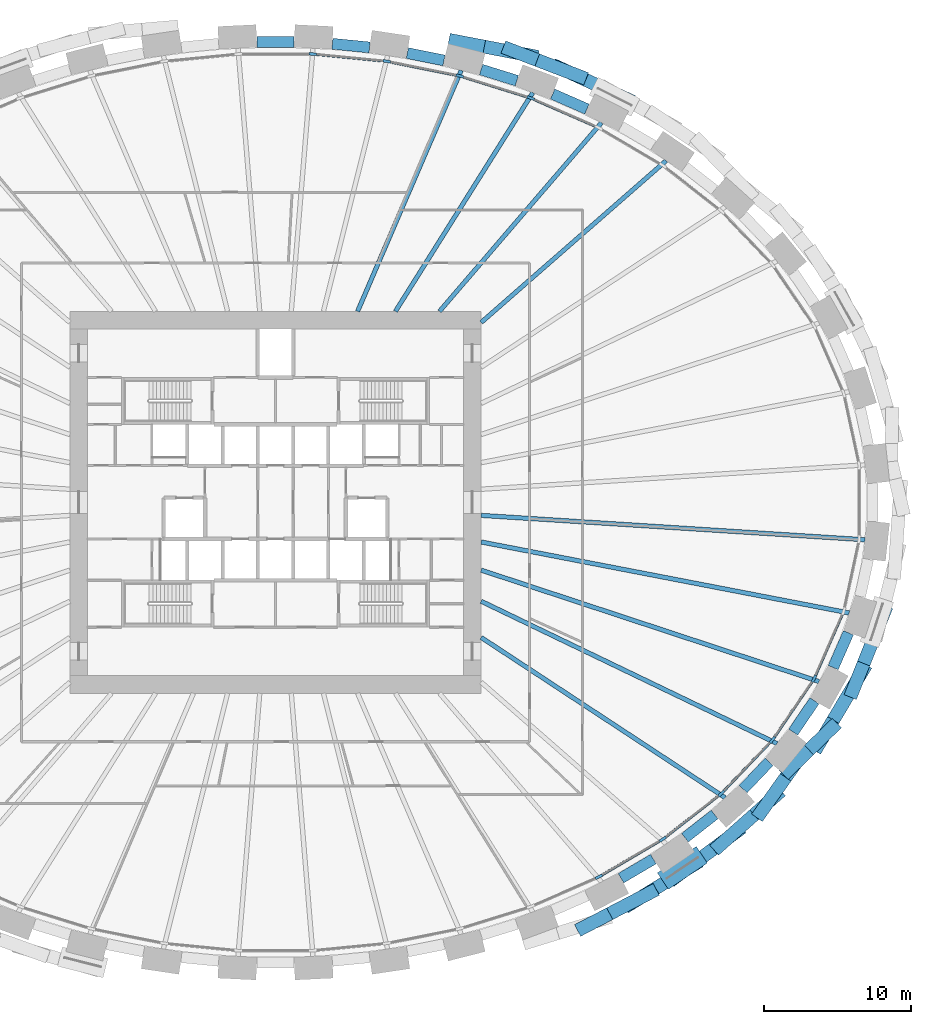
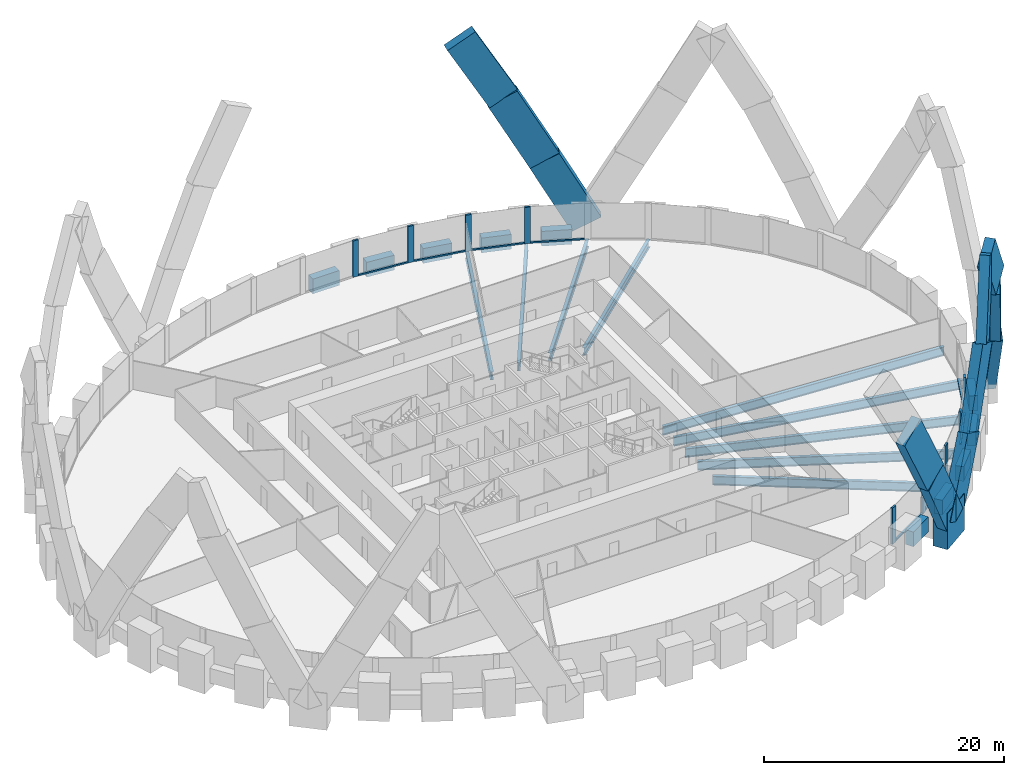
# One storey, part 4 of 12: 30 members, 19 beams, 1 element without a shape of its own.
"""IFC4 building model written with IfcOpenShell, lengths in metres."""

from ifc_helpers import new_model, si_unit, direction, frame, origin, origin_2d, place, context, subcontext, project, spatial, rectangle, i_section, extrude, source, transform, mapped, material, material_profile, profile_set, type_object, element, aggregate, save


model = new_model("IFC4")

# Units and contexts
model_context = context("Model", 3, precision=1e-05, world=origin(), true_north=direction((0.0, 1.0)))
body_context = subcontext(model_context, "Body", "Model", "MODEL_VIEW")
ifc_project = project(units=[si_unit("LENGTHUNIT", "METRE"), si_unit("AREAUNIT", "SQUARE_METRE"), si_unit("VOLUMEUNIT", "CUBIC_METRE"), si_unit("PLANEANGLEUNIT", "RADIAN"), si_unit("MASSUNIT", "GRAM", prefix="KILO")], contexts=[model_context])

# Site, building, storey
site_placement = place(None, origin())
site = spatial("IfcSite", under=ifc_project, at=site_placement, CompositionType="ELEMENT")
building_placement = place(site_placement, origin())
building = spatial("IfcBuilding", under=site, at=building_placement, Name="Embergate Tower", CompositionType="ELEMENT")
storey_placement = place(building_placement, frame((0.0, 0.0, 85.39990234375)))
storey = spatial("IfcBuildingStorey", under=building, at=storey_placement, Name="L17", CompositionType="ELEMENT", Elevation=85.39990234375)

# Beams
ifc_material_1 = material(Name="Concrete C70", Category="concrete")
ifc_material_profile_1 = material_profile(ifc_material_1, rectangle(XDim=0.75, YDim=1.5, at=origin_2d()), Name="RC 750x1500")
ifc_profile_set_1 = profile_set([ifc_material_profile_1], Name="Concrete C70")
beam_type_1 = type_object("IfcBeamType", Name="Spandrel beam RC 750x1500 C70", PredefinedType="BEAM", material=ifc_profile_set_1)
shared_shape_1 = source(origin(), body_context, "Body", "SweptSolid", [
    extrude(rectangle(XDim=0.75, YDim=1.5, at=origin_2d()), origin(), (0.0, 0.0, 1.0), 2.583251953125),
])
beam_1_placement = place(storey_placement, frame((37.9619140625, -11.2490234375, 0.0), z_axis=(0.401468201792, 0.915872962233, 0.0), x_axis=(-0.915872962233, 0.401468201792, 0.0)))
element("IfcBeam", 1, at=beam_1_placement, inside=storey, type_object=beam_type_1, Name="SPN-L17-41", PredefinedType="BEAM", context=body_context, shape_type="MappedRepresentation", body=[
    mapped(shared_shape_1, transform((0.0, 0.0, 0.0))),
])
shared_shape_2 = source(origin(), body_context, "Body", "SweptSolid", [
    extrude(rectangle(XDim=0.75, YDim=1.5, at=origin_2d()), origin(), (0.0, 0.0, 1.0), 2.574951171875),
])
beam_2_placement = place(storey_placement, frame((35.238037109375, -15.64306640625, 0.0), z_axis=(0.562356702599, 0.826894756932, 0.0), x_axis=(-0.826894756932, 0.562356702599, 0.0)))
element("IfcBeam", 2, at=beam_2_placement, inside=storey, type_object=beam_type_1, Name="SPN-L17-40", PredefinedType="BEAM", context=body_context, shape_type="MappedRepresentation", body=[
    mapped(shared_shape_2, transform((0.0, 0.0, 0.0))),
])
shared_shape_3 = source(origin(), body_context, "Body", "SweptSolid", [
    extrude(rectangle(XDim=0.75, YDim=1.5, at=origin_2d()), origin(), (0.0, 0.0, 1.0), 2.568115234375),
])
beam_3_placement = place(storey_placement, frame((31.83203125, -19.52392578125, 0.0), z_axis=(0.68998268655, 0.723825871506, 0.0), x_axis=(-0.723825871506, 0.68998268655, 0.0)))
element("IfcBeam", 3, at=beam_3_placement, inside=storey, type_object=beam_type_1, Name="SPN-L17-39", PredefinedType="BEAM", context=body_context, shape_type="MappedRepresentation", body=[
    mapped(shared_shape_3, transform((0.0, 0.0, 0.0))),
])
shared_shape_4 = source(origin(), body_context, "Body", "SweptSolid", [
    extrude(rectangle(XDim=0.75, YDim=1.5, at=origin_2d()), origin(), (0.0, 0.0, 1.0), 2.560791015625),
])
beam_4_placement = place(storey_placement, frame((27.8720703125, -22.8291015625, 0.0), z_axis=(0.788437573921, 0.615114779557, 0.0), x_axis=(-0.615114779557, 0.788437573921, 0.0)))
element("IfcBeam", 4, at=beam_4_placement, inside=storey, type_object=beam_type_1, Name="SPN-L17-38", PredefinedType="BEAM", context=body_context, shape_type="MappedRepresentation", body=[
    mapped(shared_shape_4, transform((0.0, 0.0, 0.0))),
])
shared_shape_5 = source(origin(), body_context, "Body", "SweptSolid", [
    extrude(rectangle(XDim=0.75, YDim=1.5, at=origin_2d()), origin(), (0.0, 0.0, 1.0), 2.55517578125),
])
beam_5_placement = place(storey_placement, frame((23.51904296875, -25.5859375, 0.0), z_axis=(0.862086455961, 0.506761228241, 0.0), x_axis=(-0.506761228241, 0.862086455961, 0.0)))
element("IfcBeam", 5, at=beam_5_placement, inside=storey, type_object=beam_type_1, Name="SPN-L17-37", PredefinedType="BEAM", context=body_context, shape_type="MappedRepresentation", body=[
    mapped(shared_shape_5, transform((0.0, 0.0, 0.0))),
])
shared_shape_6 = source(origin(), body_context, "Body", "SweptSolid", [
    extrude(rectangle(XDim=0.75, YDim=1.5, at=origin_2d()), origin(), (0.0, 0.0, 1.0), 2.552001953125),
])
beam_6_placement = place(storey_placement, frame((21.202880859375, 26.76806640625, 0.0), z_axis=(-0.916139768309, 0.400858983836, 0.0), x_axis=(-0.400858983836, -0.916139768309, 0.0)))
element("IfcBeam", 6, at=beam_6_placement, inside=storey, type_object=beam_type_1, Name="SPN-L17-06", PredefinedType="BEAM", context=body_context, shape_type="MappedRepresentation", body=[
    mapped(shared_shape_6, transform((0.0, 0.0, 0.0))),
])
shared_shape_7 = source(origin(), body_context, "Body", "SweptSolid", [
    extrude(rectangle(XDim=0.75, YDim=1.5, at=origin_2d()), origin(), (0.0, 0.0, 1.0), 2.55029296875),
])
beam_7_placement = place(storey_placement, frame((16.428955078125, 28.699951171875, 0.0), z_axis=(-0.954803055826, 0.297239170678, 0.0), x_axis=(-0.297239170678, -0.954803055826, 0.0)))
element("IfcBeam", 7, at=beam_7_placement, inside=storey, type_object=beam_type_1, Name="SPN-L17-07", PredefinedType="BEAM", context=body_context, shape_type="MappedRepresentation", body=[
    mapped(shared_shape_7, transform((0.0, 0.0, 0.0))),
])
shared_shape_8 = source(origin(), body_context, "Body", "SweptSolid", [
    extrude(rectangle(XDim=0.75, YDim=1.5, at=origin_2d()), origin(), (0.0, 0.0, 1.0), 2.546875),
])
beam_8_placement = place(storey_placement, frame((11.469970703125, 30.0810546875, 0.0), z_axis=(-0.980462515934, 0.196706011214, 0.0), x_axis=(-0.196706011214, -0.980462515934, 0.0)))
element("IfcBeam", 8, at=beam_8_placement, inside=storey, type_object=beam_type_1, Name="SPN-L17-08", PredefinedType="BEAM", context=body_context, shape_type="MappedRepresentation", body=[
    mapped(shared_shape_8, transform((0.0, 0.0, 0.0))),
])
shared_shape_9 = source(origin(), body_context, "Body", "SweptSolid", [
    extrude(rectangle(XDim=0.75, YDim=1.5, at=origin_2d()), origin(), (0.0, 0.0, 1.0), 2.544189453125),
])
beam_9_placement = place(storey_placement, frame((6.402099609375, 30.966064453125, 0.0), z_axis=(-0.995198330328, 0.097878921698, 0.0), x_axis=(-0.097878921698, -0.995198330328, 0.0)))
element("IfcBeam", 9, at=beam_9_placement, inside=storey, type_object=beam_type_1, Name="SPN-L17-09", PredefinedType="BEAM", context=body_context, shape_type="MappedRepresentation", body=[
    mapped(shared_shape_9, transform((0.0, 0.0, 0.0))),
])
shared_shape_10 = source(origin(), body_context, "Body", "SweptSolid", [
    extrude(rectangle(XDim=0.75, YDim=1.5, at=origin_2d()), origin(), (0.0, 0.0, 1.0), 2.5458984375),
])
beam_10_placement = place(storey_placement, frame((1.27294921875, 31.342041015625, 0.0), z_axis=(-1.0, 0.0, 0.0), x_axis=(0.0, -1.0, 0.0)))
element("IfcBeam", 10, at=beam_10_placement, inside=storey, type_object=beam_type_1, Name="SPN-L17-10", PredefinedType="BEAM", context=body_context, shape_type="MappedRepresentation", body=[
    mapped(shared_shape_10, transform((0.0, 0.0, 0.0))),
])
ifc_material_2 = material(Name="Steel Q355B", Category="steel")
ifc_material_profile_2 = material_profile(ifc_material_2, i_section(OverallWidth=0.300048828125, OverallDepth=0.89990234375, WebThickness=0.01611328125, FlangeThickness=0.028076171875, FilletRadius=0.028076171875, at=origin_2d()), Name="HN 900x300x16x28")
ifc_profile_set_2 = profile_set([ifc_material_profile_2], Name="Steel Q355 grade B")
beam_type_2 = type_object("IfcBeamType", Name="Radial girder HN 900x300x16x28", PredefinedType="BEAM", material=ifc_profile_set_2)
shared_shape_11 = source(origin(), body_context, "Body", "SweptSolid", [
    extrude(i_section(OverallWidth=0.300048828125, OverallDepth=0.89990234375, WebThickness=0.01611328125, FlangeThickness=0.028076171875, FilletRadius=0.028076171875, at=origin_2d()), origin(), (0.0, 0.0, 1.0), 26.17578125),
])
beam_11_placement = place(storey_placement, frame((40.123046875, -2.549072265625, -0.64990234375), z_axis=(-0.997989066798, 0.063386296243, 0.0), x_axis=(-0.063386296243, -0.997989066798, 0.0)))
element("IfcBeam", 11, at=beam_11_placement, inside=storey, type_object=beam_type_2, Name="GIR-L17-43", PredefinedType="BEAM", context=body_context, shape_type="MappedRepresentation", body=[
    mapped(shared_shape_11, transform((0.0, 0.0, 0.0))),
])
shared_shape_12 = source(origin(), body_context, "Body", "SweptSolid", [
    extrude(i_section(OverallWidth=0.300048828125, OverallDepth=0.89990234375, WebThickness=0.01611328125, FlangeThickness=0.028076171875, FilletRadius=0.028076171875, at=origin_2d()), origin(), (0.0, 0.0, 1.0), 25.5126953125),
])
beam_12_placement = place(storey_placement, frame((39.051025390625, -7.532958984375, -0.64990234375), z_axis=(-0.981900703084, 0.189396434187, 0.0), x_axis=(-0.189396434187, -0.981900703084, 0.0)))
element("IfcBeam", 12, at=beam_12_placement, inside=storey, type_object=beam_type_2, Name="GIR-L17-42", PredefinedType="BEAM", context=body_context, shape_type="MappedRepresentation", body=[
    mapped(shared_shape_12, transform((0.0, 0.0, 0.0))),
])
shared_shape_13 = source(origin(), body_context, "Body", "SweptSolid", [
    extrude(i_section(OverallWidth=0.300048828125, OverallDepth=0.89990234375, WebThickness=0.01611328125, FlangeThickness=0.028076171875, FilletRadius=0.028076171875, at=origin_2d()), origin(), (0.0, 0.0, 1.0), 24.221435546875),
])
beam_13_placement = place(storey_placement, frame((37.0029296875, -12.202880859375, -0.64990234375), z_axis=(-0.949690422, 0.313190201575, 0.0), x_axis=(-0.313190201575, -0.949690422, 0.0)))
element("IfcBeam", 13, at=beam_13_placement, inside=storey, type_object=beam_type_2, Name="GIR-L17-41", PredefinedType="BEAM", context=body_context, shape_type="MappedRepresentation", body=[
    mapped(shared_shape_13, transform((0.0, 0.0, 0.0))),
])
shared_shape_14 = source(origin(), body_context, "Body", "SweptSolid", [
    extrude(i_section(OverallWidth=0.300048828125, OverallDepth=0.89990234375, WebThickness=0.01611328125, FlangeThickness=0.028076171875, FilletRadius=0.028076171875, at=origin_2d()), origin(), (0.0, 0.0, 1.0), 22.343505859375),
])
beam_14_placement = place(storey_placement, frame((34.135009765625, -16.4208984375, -0.64990234375), z_axis=(-0.901156313857, 0.433494288308, 0.0), x_axis=(-0.433494288308, -0.901156313857, 0.0)))
element("IfcBeam", 14, at=beam_14_placement, inside=storey, type_object=beam_type_2, Name="GIR-L17-40", PredefinedType="BEAM", context=body_context, shape_type="MappedRepresentation", body=[
    mapped(shared_shape_14, transform((0.0, 0.0, 0.0))),
])
shared_shape_15 = source(origin(), body_context, "Body", "SweptSolid", [
    extrude(i_section(OverallWidth=0.300048828125, OverallDepth=0.89990234375, WebThickness=0.01611328125, FlangeThickness=0.028076171875, FilletRadius=0.028076171875, at=origin_2d()), origin(), (0.0, 0.0, 1.0), 19.8779296875),
])
beam_15_placement = place(storey_placement, frame((30.613037109375, -20.113037109375, -0.64990234375), z_axis=(-0.835753953274, 0.549104115434, 0.0), x_axis=(-0.549104115434, -0.835753953274, 0.0)))
element("IfcBeam", 15, at=beam_15_placement, inside=storey, type_object=beam_type_2, Name="GIR-L17-39", PredefinedType="BEAM", context=body_context, shape_type="MappedRepresentation", body=[
    mapped(shared_shape_15, transform((0.0, 0.0, 0.0))),
])
ifc_material_profile_3 = material_profile(ifc_material_2, i_section(OverallWidth=0.300048828125, OverallDepth=0.800048828125, WebThickness=0.013916015625, FlangeThickness=0.02587890625, FilletRadius=0.028076171875, at=origin_2d()), Name="HN 800x300x14x26")
ifc_profile_set_3 = profile_set([ifc_material_profile_3], Name="Steel Q355 grade B")
beam_type_3 = type_object("IfcBeamType", Name="Radial girder HN 800x300x14x26", PredefinedType="BEAM", material=ifc_profile_set_3)
shared_shape_16 = source(origin(), body_context, "Body", "SweptSolid", [
    extrude(i_section(OverallWidth=0.300048828125, OverallDepth=0.800048828125, WebThickness=0.013916015625, FlangeThickness=0.02587890625, FilletRadius=0.028076171875, at=origin_2d()), origin(), (0.0, 0.0, 1.0), 16.72509765625),
])
beam_16_placement = place(storey_placement, frame((26.590087890625, 23.2529296875, -0.599853515625), z_axis=(-0.752763844536, -0.658290660999, 0.0), x_axis=(0.658290660999, -0.752763844536, 0.0)))
element("IfcBeam", 16, at=beam_16_placement, inside=storey, type_object=beam_type_3, Name="GIR-L17-05", PredefinedType="BEAM", context=body_context, shape_type="MappedRepresentation", body=[
    mapped(shared_shape_16, transform((0.0, 0.0, 0.0))),
])
shared_shape_17 = source(origin(), body_context, "Body", "SweptSolid", [
    extrude(i_section(OverallWidth=0.300048828125, OverallDepth=0.800048828125, WebThickness=0.013916015625, FlangeThickness=0.02587890625, FilletRadius=0.028076171875, at=origin_2d()), origin(), (0.0, 0.0, 1.0), 16.924560546875),
])
beam_17_placement = place(storey_placement, frame((22.18994140625, 25.840087890625, -0.599853515625), z_axis=(-0.651475377488, -0.758669778314, 0.0), x_axis=(0.758669778314, -0.651475377488, 0.0)))
element("IfcBeam", 17, at=beam_17_placement, inside=storey, type_object=beam_type_3, Name="GIR-L17-06", PredefinedType="BEAM", context=body_context, shape_type="MappedRepresentation", body=[
    mapped(shared_shape_17, transform((0.0, 0.0, 0.0))),
])
shared_shape_18 = source(origin(), body_context, "Body", "SweptSolid", [
    extrude(i_section(OverallWidth=0.300048828125, OverallDepth=0.800048828125, WebThickness=0.013916015625, FlangeThickness=0.02587890625, FilletRadius=0.028076171875, at=origin_2d()), origin(), (0.0, 0.0, 1.0), 17.578125),
])
beam_18_placement = place(storey_placement, frame((17.512939453125, 27.885986328125, -0.599853515625), z_axis=(-0.53184411478, -0.846842274319, 0.0), x_axis=(0.846842274319, -0.53184411478, 0.0)))
element("IfcBeam", 18, at=beam_18_placement, inside=storey, type_object=beam_type_3, Name="GIR-L17-07", PredefinedType="BEAM", context=body_context, shape_type="MappedRepresentation", body=[
    mapped(shared_shape_18, transform((0.0, 0.0, 0.0))),
])
shared_shape_19 = source(origin(), body_context, "Body", "SweptSolid", [
    extrude(i_section(OverallWidth=0.300048828125, OverallDepth=0.800048828125, WebThickness=0.013916015625, FlangeThickness=0.02587890625, FilletRadius=0.028076171875, at=origin_2d()), origin(), (0.0, 0.0, 1.0), 17.854248046875),
])
beam_19_placement = place(storey_placement, frame((12.638916015625, 29.403076171875, -0.599853515625), z_axis=(-0.394919154383, -0.918715876374, 0.0), x_axis=(0.918715876374, -0.394919154383, 0.0)))
element("IfcBeam", 19, at=beam_19_placement, inside=storey, type_object=beam_type_3, Name="GIR-L17-08", PredefinedType="BEAM", context=body_context, shape_type="MappedRepresentation", body=[
    mapped(shared_shape_19, transform((0.0, 0.0, 0.0))),
])

# Members
ifc_material_profile_4 = material_profile(ifc_material_1, rectangle(XDim=1.35009765625, YDim=3.199951171875, at=origin_2d()), Name="RC 1350x3200")
ifc_profile_set_4 = profile_set([ifc_material_profile_4], Name="Concrete C70")
member_type_1 = type_object("IfcMemberType", Name="Lattice node block RC 1350x3200", PredefinedType="POST", material=ifc_profile_set_4)
shared_shape_20 = source(origin(), body_context, "Body", "SweptSolid", [
    extrude(rectangle(XDim=1.35009765625, YDim=3.199951171875, at=origin_2d()), origin(), (0.0, 0.0, 1.0), 3.699951171875),
])
member_1_placement = place(storey_placement, frame((27.697021484375, -24.888916015625, -1.849853515625), z_axis=(0.0, 0.0, 1.0), x_axis=(0.560393279442, -0.828226643109, 0.0)))
element("IfcMember", 20, at=member_1_placement, inside=storey, type_object=member_type_1, Name="NOD-L17-38", PredefinedType="POST", context=body_context, shape_type="MappedRepresentation", body=[
    mapped(shared_shape_20, transform((0.0, 0.0, 0.0))),
])
ifc_material_profile_5 = material_profile(ifc_material_1, rectangle(XDim=0.89990234375, YDim=2.800048828125, at=origin_2d()), Name="RC 900x2800")
ifc_profile_set_5 = profile_set([ifc_material_profile_5], Name="Concrete C70")
member_type_2 = type_object("IfcMemberType", Name="Lattice diagonal terracotta-faced RC 900x2800", PredefinedType="BRACE", material=ifc_profile_set_5)
shared_shape_21 = source(origin(), body_context, "Body", "SweptSolid", [
    extrude(rectangle(XDim=0.89990234375, YDim=2.800048828125, at=origin_2d()), origin(), (0.0, 0.0, 1.0), 7.567626953125),
])
member_2_placement = place(storey_placement, frame((23.18701171875, 27.802001953125, 0.0), z_axis=(-0.422207084042, 0.194504967501, 0.885386353973), x_axis=(-0.418419921327, -0.908253692223, 0.0)))
element("IfcMember", 21, at=member_2_placement, inside=storey, type_object=member_type_2, Name="BRC-L17-06-08-S00", PredefinedType="BRACE", context=body_context, shape_type="MappedRepresentation", body=[
    mapped(shared_shape_21, transform((0.0, 0.0, 0.0))),
])
shared_shape_22 = source(origin(), body_context, "Body", "SweptSolid", [
    extrude(rectangle(XDim=0.89990234375, YDim=2.800048828125, at=origin_2d()), origin(), (0.0, 0.0, 1.0), 7.5888671875),
])
member_3_placement = place(storey_placement, frame((19.991943359375, 29.27392578125, 6.7001953125), z_axis=(-0.438514871616, 0.168154738019, 0.882852587612), x_axis=(-0.358042514855, -0.9337052841, 0.0)))
element("IfcMember", 22, at=member_3_placement, inside=storey, type_object=member_type_2, Name="BRC-L17-06-08-S01", PredefinedType="BRACE", context=body_context, shape_type="MappedRepresentation", body=[
    mapped(shared_shape_22, transform((0.0, 0.0, 0.0))),
])
shared_shape_23 = source(origin(), body_context, "Body", "SweptSolid", [
    extrude(rectangle(XDim=0.89990234375, YDim=2.800048828125, at=origin_2d()), origin(), (0.0, 0.0, 1.0), 7.662109375),
])
member_4_placement = place(storey_placement, frame((16.6640625, 30.550048828125, 13.400146484375), z_axis=(-0.476513893563, 0.091224291359, 0.874421316018), x_axis=(-0.188026441742, -0.982163966558, 0.0)))
element("IfcMember", 23, at=member_4_placement, inside=storey, type_object=member_type_2, Name="BRC-L17-06-08-S02", PredefinedType="BRACE", context=body_context, shape_type="MappedRepresentation", body=[
    mapped(shared_shape_23, transform((0.0, 0.0, 0.0))),
])
shared_shape_24 = source(origin(), body_context, "Body", "SweptSolid", [
    extrude(rectangle(XDim=0.89990234375, YDim=2.800048828125, at=origin_2d()), origin(), (0.0, 0.0, 1.0), 7.568603515625),
])
member_5_placement = place(storey_placement, frame((27.822998046875, -25.074951171875, 0.0), z_axis=(-0.395733198154, -0.244317186405, 0.885270776828), x_axis=(0.525327485516, -0.850900131015, 0.0)))
element("IfcMember", 24, at=member_5_placement, inside=storey, type_object=member_type_2, Name="BRC-L17-38-36-S00", PredefinedType="BRACE", context=body_context, shape_type="MappedRepresentation", body=[
    mapped(shared_shape_24, transform((0.0, 0.0, 0.0))),
])
shared_shape_25 = source(origin(), body_context, "Body", "SweptSolid", [
    extrude(rectangle(XDim=0.89990234375, YDim=2.800048828125, at=origin_2d()), origin(), (0.0, 0.0, 1.0), 7.59375),
])
member_6_placement = place(storey_placement, frame((24.827880859375, -26.924072265625, 6.7001953125), z_axis=(-0.417303867356, -0.217782465136, 0.882285826798), x_axis=(0.462664039197, -0.886533691877, 0.0)))
element("IfcMember", 25, at=member_6_placement, inside=storey, type_object=member_type_2, Name="BRC-L17-38-36-S01", PredefinedType="BRACE", context=body_context, shape_type="MappedRepresentation", body=[
    mapped(shared_shape_25, transform((0.0, 0.0, 0.0))),
])
shared_shape_26 = source(origin(), body_context, "Body", "SweptSolid", [
    extrude(rectangle(XDim=0.89990234375, YDim=2.800048828125, at=origin_2d()), origin(), (0.0, 0.0, 1.0), 7.651123046875),
])
member_7_placement = place(storey_placement, frame((27.822998046875, -25.074951171875, 0.0), z_axis=(0.387117620208, 0.28858323089, 0.875705239777), x_axis=(-0.597671277215, 0.801741257759, 0.0)))
element("IfcMember", 26, at=member_7_placement, inside=storey, type_object=member_type_2, Name="BRC-L17-38-40-S00", PredefinedType="BRACE", context=body_context, shape_type="MappedRepresentation", body=[
    mapped(shared_shape_26, transform((0.0, 0.0, 0.0))),
])
shared_shape_27 = source(origin(), body_context, "Body", "SweptSolid", [
    extrude(rectangle(XDim=0.89990234375, YDim=2.800048828125, at=origin_2d()), origin(), (0.0, 0.0, 1.0), 7.61962890625),
])
member_8_placement = place(storey_placement, frame((30.784912109375, -22.866943359375, 6.7001953125), z_axis=(0.356073680251, 0.316278529448, 0.879306218585), x_axis=(-0.664092366674, 0.747650539039, 0.0)))
element("IfcMember", 27, at=member_8_placement, inside=storey, type_object=member_type_2, Name="BRC-L17-38-40-S01", PredefinedType="BRACE", context=body_context, shape_type="MappedRepresentation", body=[
    mapped(shared_shape_27, transform((0.0, 0.0, 0.0))),
])
shared_shape_28 = source(origin(), body_context, "Body", "SweptSolid", [
    extrude(rectangle(XDim=0.89990234375, YDim=2.800048828125, at=origin_2d()), origin(), (0.0, 0.0, 1.0), 7.5029296875),
])
member_9_placement = place(storey_placement, frame((33.498046875, -20.45703125, 13.400146484375), z_axis=(0.260705074738, 0.366913432694, 0.892976705695), x_axis=(-0.815176815221, 0.579212189034, 0.0)))
element("IfcMember", 28, at=member_9_placement, inside=storey, type_object=member_type_2, Name="BRC-L17-38-40-S02", PredefinedType="BRACE", context=body_context, shape_type="MappedRepresentation", body=[
    mapped(shared_shape_28, transform((0.0, 0.0, 0.0))),
])
shared_shape_29 = source(origin(), body_context, "Body", "SweptSolid", [
    extrude(rectangle(XDim=0.89990234375, YDim=2.800048828125, at=origin_2d()), origin(), (0.0, 0.0, 1.0), 8.859130859375),
])
member_10_placement = place(storey_placement, frame((41.14306640625, -8.215087890625, 0.0), z_axis=(-0.176318760765, -0.440107941453, 0.880463908671), x_axis=(0.928276120344, -0.37189171058, 0.0)))
element("IfcMember", 29, at=member_10_placement, inside=storey, type_object=member_type_2, Name="BRC-L17-42-40-S00", PredefinedType="BRACE", context=body_context, shape_type="MappedRepresentation", body=[
    mapped(shared_shape_29, transform((0.0, 0.0, 0.0))),
])
shared_shape_30 = source(origin(), body_context, "Body", "SweptSolid", [
    extrude(rectangle(XDim=0.89990234375, YDim=2.800048828125, at=origin_2d()), origin(), (0.0, 0.0, 1.0), 8.941650390625),
])
member_11_placement = place(storey_placement, frame((39.5810546875, -12.114013671875, 7.800048828125), z_axis=(-0.250183669003, -0.420067199347, 0.87232544374), x_axis=(0.859163706974, -0.511700815535, 0.0)))
element("IfcMember", 30, at=member_11_placement, inside=storey, type_object=member_type_2, Name="BRC-L17-42-40-S01", PredefinedType="BRACE", context=body_context, shape_type="MappedRepresentation", body=[
    mapped(shared_shape_30, transform((0.0, 0.0, 0.0))),
])
shared_shape_31 = source(origin(), body_context, "Body", "SweptSolid", [
    extrude(rectangle(XDim=0.89990234375, YDim=2.800048828125, at=origin_2d()), origin(), (0.0, 0.0, 1.0), 5.2138671875),
])
member_12_placement = place(storey_placement, frame((37.343994140625, -15.8701171875, 15.60009765625), z_axis=(-0.362469035366, -0.351746207682, 0.863070567093), x_axis=(0.69641219356, -0.717642011494, 0.0)))
element("IfcMember", 31, at=member_12_placement, inside=storey, type_object=member_type_2, Name="BRC-L17-42-40-S02", PredefinedType="BRACE", context=body_context, shape_type="MappedRepresentation", body=[
    mapped(shared_shape_31, transform((0.0, 0.0, 0.0))),
])

# Curtain wall, members
ifc_material_3 = material(Name="Aluminium and glass", Category="aluminium")
curtain_wall_type = type_object("IfcCurtainWallType", Name="Recessed office glazing", PredefinedType="NOTDEFINED", material=ifc_material_3)
curtain_wall_placement = place(storey_placement, origin())
curtain_wall = element("IfcCurtainWall", 32, at=curtain_wall_placement, inside=storey, type_object=curtain_wall_type, Name="Recessed office glazing ring", ObjectType="RECESSED OFFICE GLAZING", PredefinedType="USERDEFINED")
ifc_material_4 = material(Name="Aluminium, thermally broken", Category="aluminium")
ifc_material_profile_6 = material_profile(ifc_material_4, rectangle(XDim=0.179931640625, YDim=0.52001953125, at=origin_2d()), Name="AL 520x180")
ifc_profile_set_6 = profile_set([ifc_material_profile_6], Name="Aluminium, thermally broken")
member_type_3 = type_object("IfcMemberType", Name="Office mullion", PredefinedType="MULLION", material=ifc_profile_set_6)
shared_shape_32 = source(origin(), body_context, "Body", "SweptSolid", [
    extrude(rectangle(XDim=0.179931640625, YDim=0.52001953125, at=origin_2d()), origin(), (0.0, 0.0, 1.0), 3.7001953125),
])
member_13_placement = place(storey_placement, frame((17.377197265625, 27.519775390625, 0.0), z_axis=(0.0, 0.0, 1.0), x_axis=(-0.349502682851, -0.936935363128, 0.0)))
member_13 = element("IfcMember", 33, at=member_13_placement, type_object=member_type_3, Name="CW mullion 8", PredefinedType="MULLION", context=body_context, shape_type="MappedRepresentation", body=[
    mapped(shared_shape_32, transform((0.0, 0.0, 0.0))),
])
member_14_placement = place(storey_placement, frame((12.54296875, 29.025390625, 0.0), z_axis=(0.0, 0.0, 1.0), x_axis=(-0.24731188137, -0.968935928394, 0.0)))
member_14 = element("IfcMember", 34, at=member_14_placement, type_object=member_type_3, Name="CW mullion 9", PredefinedType="MULLION", context=body_context, shape_type="MappedRepresentation", body=[
    mapped(shared_shape_32, transform((0.0, 0.0, 0.0))),
])
member_15_placement = place(storey_placement, frame((7.576171875, 30.021484375, 0.0), z_axis=(0.0, 0.0, 1.0), x_axis=(-0.147412382818, -0.989075118174, 0.0)))
member_15 = element("IfcMember", 35, at=member_15_placement, type_object=member_type_3, Name="CW mullion 10", PredefinedType="MULLION", context=body_context, shape_type="MappedRepresentation", body=[
    mapped(shared_shape_32, transform((0.0, 0.0, 0.0))),
])
member_16_placement = place(storey_placement, frame((2.53369140625, 30.51708984375, 0.0), z_axis=(0.0, 0.0, 1.0), x_axis=(-0.048971796621, -0.998800161762, 0.0)))
member_16 = element("IfcMember", 36, at=member_16_placement, type_object=member_type_3, Name="CW mullion 11", PredefinedType="MULLION", context=body_context, shape_type="MappedRepresentation", body=[
    mapped(shared_shape_32, transform((0.0, 0.0, 0.0))),
])
member_17_placement = place(storey_placement, frame((22.013427734375, -25.49267578125, 0.0), z_axis=(0.0, 0.0, 1.0), x_axis=(-0.454511380526, 0.890740930334, 0.0)))
member_17 = element("IfcMember", 37, at=member_17_placement, type_object=member_type_3, Name="CW mullion 38", PredefinedType="MULLION", context=body_context, shape_type="MappedRepresentation", body=[
    mapped(shared_shape_32, transform((0.0, 0.0, 0.0))),
])
member_18_placement = place(storey_placement, frame((26.37158203125, -22.930419921875, 0.0), z_axis=(0.0, 0.0, 1.0), x_axis=(-0.562217618544, 0.826989328467, 0.0)))
member_18 = element("IfcMember", 38, at=member_18_placement, type_object=member_type_3, Name="CW mullion 39", PredefinedType="MULLION", context=body_context, shape_type="MappedRepresentation", body=[
    mapped(shared_shape_32, transform((0.0, 0.0, 0.0))),
])
member_19_placement = place(storey_placement, frame((30.352294921875, -19.823486328125, 0.0), z_axis=(0.0, 0.0, 1.0), x_axis=(-0.671229121411, 0.741249935292, 0.0)))
member_19 = element("IfcMember", 39, at=member_19_placement, type_object=member_type_3, Name="CW mullion 40", PredefinedType="MULLION", context=body_context, shape_type="MappedRepresentation", body=[
    mapped(shared_shape_32, transform((0.0, 0.0, 0.0))),
])
member_20_placement = place(storey_placement, frame((33.831787109375, -16.1748046875, 0.0), z_axis=(0.0, 0.0, 1.0), x_axis=(-0.777875854755, 0.628417977615, 0.0)))
member_20 = element("IfcMember", 40, at=member_20_placement, type_object=member_type_3, Name="CW mullion 41", PredefinedType="MULLION", context=body_context, shape_type="MappedRepresentation", body=[
    mapped(shared_shape_32, transform((0.0, 0.0, 0.0))),
])
member_21_placement = place(storey_placement, frame((36.662109375, -12.012939453125, 0.0), z_axis=(0.0, 0.0, 1.0), x_axis=(-0.875005275602, 0.484113383071, 0.0)))
member_21 = element("IfcMember", 41, at=member_21_placement, type_object=member_type_3, Name="CW mullion 42", PredefinedType="MULLION", context=body_context, shape_type="MappedRepresentation", body=[
    mapped(shared_shape_32, transform((0.0, 0.0, 0.0))),
])
ifc_material_profile_7 = material_profile(ifc_material_4, rectangle(XDim=0.179931640625, YDim=0.14990234375, at=origin_2d()), Name="AL 150x180")
ifc_profile_set_7 = profile_set([ifc_material_profile_7], Name="Aluminium, thermally broken")
member_type_4 = type_object("IfcMemberType", Name="Office sill transom", PredefinedType="USERDEFINED", material=ifc_profile_set_7)
shared_shape_33 = source(origin(), body_context, "Body", "SweptSolid", [
    extrude(rectangle(XDim=0.179931640625, YDim=0.14990234375, at=origin_2d()), origin(), (0.0, 0.0, 1.0), 4.529296875),
])
member_22_placement = place(storey_placement, frame((26.57666015625, -22.7705078125, 0.0751953125), z_axis=(0.788306218653, 0.615283110148, 0.0), x_axis=(-0.615283110148, 0.788306218653, 0.0)))
member_22 = element("IfcMember", 42, at=member_22_placement, type_object=member_type_4, Name="CW transom 39.1", ObjectType="TRANSOM", PredefinedType="USERDEFINED", context=body_context, shape_type="MappedRepresentation", body=[
    mapped(shared_shape_33, transform((0.0, 0.0, 0.0))),
])
shared_shape_34 = source(origin(), body_context, "Body", "SweptSolid", [
    extrude(rectangle(XDim=0.179931640625, YDim=0.14990234375, at=origin_2d()), origin(), (0.0, 0.0, 1.0), 4.504150390625),
])
member_23_placement = place(storey_placement, frame((36.7666015625, -11.77490234375, 0.0751953125), z_axis=(0.401657507377, 0.915789957778, 0.0), x_axis=(-0.915789957778, 0.401657507377, 0.0)))
member_23 = element("IfcMember", 43, at=member_23_placement, type_object=member_type_4, Name="CW transom 42.1", ObjectType="TRANSOM", PredefinedType="USERDEFINED", context=body_context, shape_type="MappedRepresentation", body=[
    mapped(shared_shape_34, transform((0.0, 0.0, 0.0))),
])
shared_shape_35 = source(origin(), body_context, "Body", "SweptSolid", [
    extrude(rectangle(XDim=0.179931640625, YDim=0.14990234375, at=origin_2d()), origin(), (0.0, 0.0, 1.0), 4.51318359375),
])
member_24_placement = place(storey_placement, frame((33.97802734375, -15.9599609375, 0.0751953125), z_axis=(0.562329256749, 0.82691342171, 0.0), x_axis=(-0.82691342171, 0.562329256749, 0.0)))
member_24 = element("IfcMember", 44, at=member_24_placement, type_object=member_type_4, Name="CW transom 41.1", ObjectType="TRANSOM", PredefinedType="USERDEFINED", context=body_context, shape_type="MappedRepresentation", body=[
    mapped(shared_shape_35, transform((0.0, 0.0, 0.0))),
])
shared_shape_36 = source(origin(), body_context, "Body", "SweptSolid", [
    extrude(rectangle(XDim=0.179931640625, YDim=0.14990234375, at=origin_2d()), origin(), (0.0, 0.0, 1.0), 4.52197265625),
])
member_25_placement = place(storey_placement, frame((30.531494140625, -19.635498046875, 0.0751953125), z_axis=(0.690144384651, 0.723671699277, 0.0), x_axis=(-0.723671699277, 0.690144384651, 0.0)))
member_25 = element("IfcMember", 45, at=member_25_placement, type_object=member_type_4, Name="CW transom 40.1", ObjectType="TRANSOM", PredefinedType="USERDEFINED", context=body_context, shape_type="MappedRepresentation", body=[
    mapped(shared_shape_36, transform((0.0, 0.0, 0.0))),
])
shared_shape_37 = source(origin(), body_context, "Body", "SweptSolid", [
    extrude(rectangle(XDim=0.179931640625, YDim=0.14990234375, at=origin_2d()), origin(), (0.0, 0.0, 1.0), 4.535400390625),
])
member_26_placement = place(storey_placement, frame((22.23779296875, -25.36083984375, 0.0751953125), z_axis=(0.862028298447, 0.506860151004, 0.0), x_axis=(-0.506860151004, 0.862028298447, 0.0)))
member_26 = element("IfcMember", 46, at=member_26_placement, type_object=member_type_4, Name="CW transom 38.1", ObjectType="TRANSOM", PredefinedType="USERDEFINED", context=body_context, shape_type="MappedRepresentation", body=[
    mapped(shared_shape_37, transform((0.0, 0.0, 0.0))),
])
shared_shape_38 = source(origin(), body_context, "Body", "SweptSolid", [
    extrude(rectangle(XDim=0.179931640625, YDim=0.14990234375, at=origin_2d()), origin(), (0.0, 0.0, 1.0), 4.540283203125),
])
member_27_placement = place(storey_placement, frame((21.775390625, 25.5966796875, 0.0751953125), z_axis=(-0.91622766565, 0.400658039601, 0.0), x_axis=(-0.400658039601, -0.91622766565, 0.0)))
member_27 = element("IfcMember", 47, at=member_27_placement, type_object=member_type_4, Name="CW transom 7.1", ObjectType="TRANSOM", PredefinedType="USERDEFINED", context=body_context, shape_type="MappedRepresentation", body=[
    mapped(shared_shape_38, transform((0.0, 0.0, 0.0))),
])
shared_shape_39 = source(origin(), body_context, "Body", "SweptSolid", [
    extrude(rectangle(XDim=0.179931640625, YDim=0.14990234375, at=origin_2d()), origin(), (0.0, 0.0, 1.0), 4.54345703125),
])
member_28_placement = place(storey_placement, frame((17.129150390625, 27.59716796875, 0.0751953125), z_axis=(-0.954777820435, 0.297320220648, 0.0), x_axis=(-0.297320220648, -0.954777820435, 0.0)))
member_28 = element("IfcMember", 48, at=member_28_placement, type_object=member_type_4, Name="CW transom 8.1", ObjectType="TRANSOM", PredefinedType="USERDEFINED", context=body_context, shape_type="MappedRepresentation", body=[
    mapped(shared_shape_39, transform((0.0, 0.0, 0.0))),
])
shared_shape_40 = source(origin(), body_context, "Body", "SweptSolid", [
    extrude(rectangle(XDim=0.179931640625, YDim=0.14990234375, at=origin_2d()), origin(), (0.0, 0.0, 1.0), 4.54541015625),
])
member_29_placement = place(storey_placement, frame((12.2880859375, 29.076416015625, 0.0751953125), z_axis=(-0.980477251105, 0.196632550879, 0.0), x_axis=(-0.196632550879, -0.980477251105, 0.0)))
member_29 = element("IfcMember", 49, at=member_29_placement, type_object=member_type_4, Name="CW transom 9.1", ObjectType="TRANSOM", PredefinedType="USERDEFINED", context=body_context, shape_type="MappedRepresentation", body=[
    mapped(shared_shape_40, transform((0.0, 0.0, 0.0))),
])
shared_shape_41 = source(origin(), body_context, "Body", "SweptSolid", [
    extrude(rectangle(XDim=0.179931640625, YDim=0.14990234375, at=origin_2d()), origin(), (0.0, 0.0, 1.0), 4.546630859375),
])
member_30_placement = place(storey_placement, frame((7.3173828125, 30.046875, 0.0751953125), z_axis=(-0.995202726131, 0.097834216414, 0.0), x_axis=(-0.097834216414, -0.995202726131, 0.0)))
member_30 = element("IfcMember", 50, at=member_30_placement, type_object=member_type_4, Name="CW transom 10.1", ObjectType="TRANSOM", PredefinedType="USERDEFINED", context=body_context, shape_type="MappedRepresentation", body=[
    mapped(shared_shape_41, transform((0.0, 0.0, 0.0))),
])
aggregate(curtain_wall, [member_13, member_14, member_15, member_16, member_17, member_18, member_19, member_20, member_21, member_27, member_28, member_29, member_30, member_26, member_22, member_25, member_24, member_23])

save(model, "model.ifc")
